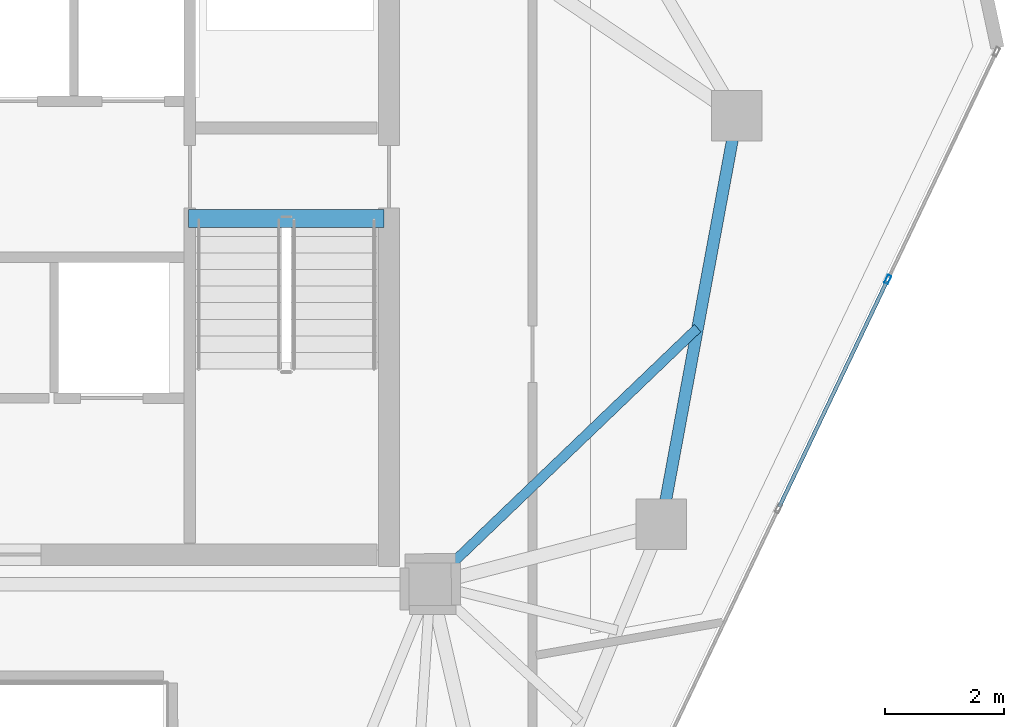
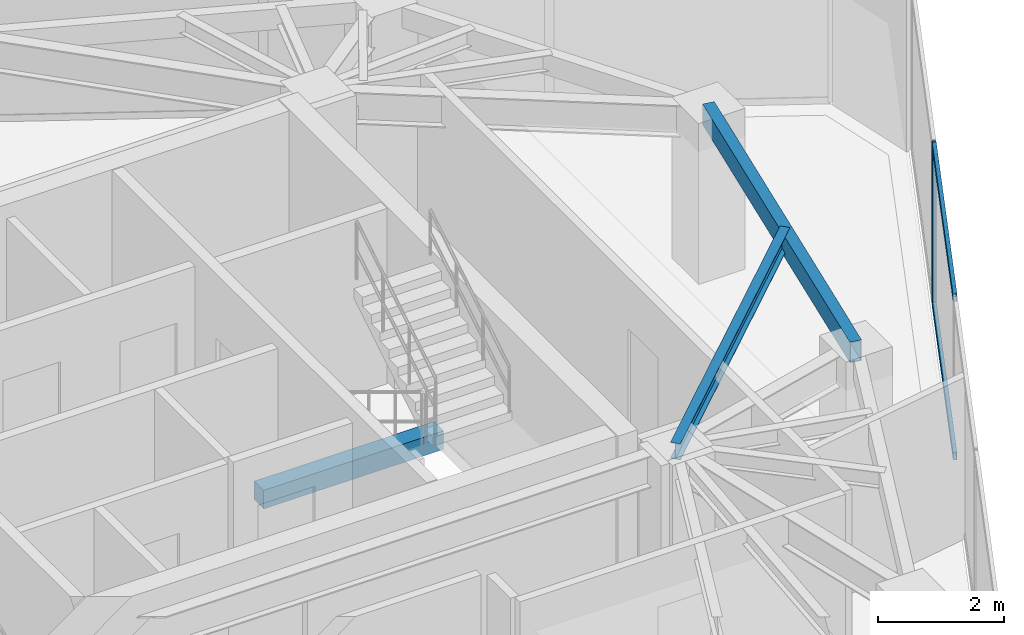
# One storey, part 12 of 20: 3 beams, 3 members, 1 element without a shape of its own.
"""IFC4 building model written with IfcOpenShell, lengths in metres."""

from ifc_helpers import new_model, si_unit, direction, frame, origin, origin_2d, place, context, subcontext, project, spatial, rectangle, hollow_rectangle, i_section, extrude, source, transform, mapped, material, layer, layer_set, material_profile, profile_set, type_object, type_shapes, element, aggregate, save


model = new_model("IFC4")

# Units and contexts
model_context = context("Model", 3, precision=1e-05, world=origin(), true_north=direction((0.0, 1.0)))
body_context = subcontext(model_context, "Body", "Model", "MODEL_VIEW")
ifc_project = project(units=[si_unit("LENGTHUNIT", "METRE"), si_unit("AREAUNIT", "SQUARE_METRE"), si_unit("VOLUMEUNIT", "CUBIC_METRE"), si_unit("PLANEANGLEUNIT", "RADIAN"), si_unit("MASSUNIT", "GRAM", prefix="KILO")], contexts=[model_context])

# Site, building, storey
site_placement = place(None, origin())
site = spatial("IfcSite", under=ifc_project, at=site_placement, CompositionType="ELEMENT")
building_placement = place(site_placement, origin())
building = spatial("IfcBuilding", under=site, at=building_placement, Name="Talar Marvaseh", CompositionType="ELEMENT")
storey_placement = place(building_placement, frame((0.0, 0.0, 281.60009765625)))
storey = spatial("IfcBuildingStorey", under=building, at=storey_placement, Name="L75", CompositionType="ELEMENT", Elevation=281.60009765625)

# Beams
ifc_material_1 = material(Name="Concrete C40/50", Category="concrete")
ifc_material_profile_1 = material_profile(ifc_material_1, rectangle(XDim=0.300048828125, YDim=0.360107421875, at=origin_2d()), Name="RC300x360")
ifc_profile_set_1 = profile_set([ifc_material_profile_1], Name="Concrete C40/50")
beam_type_1 = type_object("IfcBeamType", Name="Concrete Stair Landing Trimmer Beam RC300x360", PredefinedType="SPANDREL", material=ifc_profile_set_1)
beam_1_placement = place(storey_placement, frame((29.219970703125, 31.669921875, -0.18017578125), z_axis=(1.0, 0.0, 0.0), x_axis=(0.0, 1.0, 0.0)))
element("IfcBeam", 1, at=beam_1_placement, inside=storey, type_object=beam_type_1, Name="L75 ST-2 Stair Nosing Trimmer Beam", PredefinedType="SPANDREL", context=body_context, shape_type="SweptSolid", body=[
    extrude(rectangle(XDim=0.300048828125, YDim=0.360107421875, at=origin_2d()), origin(), (0.0, 0.0, 1.0), 3.300048828125),
])
ifc_material_2 = material(Name="Steel S355", Category="steel")
ifc_material_profile_2 = material_profile(ifc_material_2, hollow_rectangle(XDim=0.199951171875, YDim=0.39990234375, WallThickness=0.013916015625, at=origin_2d()), Name="RHS400x200x14")
ifc_profile_set_2 = profile_set([ifc_material_profile_2], Name="Steel S355")
beam_type_2 = type_object("IfcBeamType", Name="Zone 3 Perimeter Spandrel Beam RHS400x200x14", PredefinedType="SPANDREL", material=ifc_profile_set_2)
beam_2_placement = place(storey_placement, frame((38.470947265625, 33.406005859375, 2.93994140625), z_axis=(-0.181759950929, -0.983342931148, 0.0), x_axis=(0.983342931148, -0.181759950929, 0.0)))
element("IfcBeam", 2, at=beam_2_placement, inside=storey, type_object=beam_type_2, Name="L75 Zone 3 Perimeter Spandrel Beam RHS400x200x14", PredefinedType="SPANDREL", context=body_context, shape_type="SweptSolid", body=[
    extrude(hollow_rectangle(XDim=0.199951171875, YDim=0.39990234375, WallThickness=0.013916015625, at=origin_2d()), origin(), (0.0, 0.0, 1.0), 7.0087890625),
])
ifc_material_profile_3 = material_profile(ifc_material_2, i_section(OverallWidth=0.166015625, OverallDepth=0.31298828125, WebThickness=0.006591796875, FlangeThickness=0.01123046875, at=origin_2d()), Name="W310x45")
ifc_profile_set_3 = profile_set([ifc_material_profile_3], Name="Steel S355")
beam_type_3 = type_object("IfcBeamType", Name="Zone 3 Secondary Floor Joist W310x45", PredefinedType="JOIST", material=ifc_profile_set_3)
beam_3_placement = place(storey_placement, frame((37.80859375, 29.822265625, 2.9833984375), z_axis=(-0.721862081493, -0.692036946486, 0.0), x_axis=(0.692036946486, -0.721862081493, 0.0)))
element("IfcBeam", 3, at=beam_3_placement, inside=storey, type_object=beam_type_3, Name="L75 Zone 3 Secondary Floor Joist W310x45", PredefinedType="JOIST", context=body_context, shape_type="SweptSolid", body=[
    extrude(i_section(OverallWidth=0.166015625, OverallDepth=0.31298828125, WebThickness=0.006591796875, FlangeThickness=0.01123046875, at=origin_2d()), origin(), (0.0, 0.0, 1.0), 6.24560546875),
])

# Curtain wall, members
ifc_material_3 = material(Name="Architectural Aluminium", Category="aluminium")
ifc_layer = layer(ifc_material_3, 0.179931640625)
ifc_layer_set = layer_set([ifc_layer], Name="Architectural Aluminium")
curtain_wall_type = type_object("IfcCurtainWallType", Name="Unitised High-Wind Sky Curtain Wall Z4", PredefinedType="NOTDEFINED", material=ifc_layer_set)
curtain_wall_placement = place(storey_placement, origin())
curtain_wall = element("IfcCurtainWall", 4, at=curtain_wall_placement, inside=storey, type_object=curtain_wall_type, Name="L75 Unitised High-Wind Sky Curtain Wall Z4", PredefinedType="NOTDEFINED")
ifc_material_profile_4 = material_profile(ifc_material_3, hollow_rectangle(XDim=0.06494140625, YDim=0.14990234375, WallThickness=0.00390625, at=origin_2d()), Name="RHS150x65x4")
ifc_profile_set_4 = profile_set([ifc_material_profile_4], Name="Architectural Aluminium")
member_type_1 = type_object("IfcMemberType", Name="Unitised Curtain Wall Slim Mullion RHS150x65x4", PredefinedType="MULLION", material=ifc_profile_set_4)
shared_shape_1 = source(origin(), body_context, "Body", "SweptSolid", [
    extrude(hollow_rectangle(XDim=0.06494140625, YDim=0.14990234375, WallThickness=0.00390625, at=origin_2d()), origin(), (0.0, 0.0, 1.0), 3.139892578125),
])
type_shapes(member_type_1, [shared_shape_1])
member_1_placement = place(storey_placement, frame((41.01806640625, 30.644775390625, 0.0), z_axis=(0.0, 0.0, 1.0), x_axis=(0.902516744235, -0.430654764719, 0.0)))
member_1 = element("IfcMember", 5, at=member_1_placement, type_object=member_type_1, Name="CW-Z4 mullion 2", PredefinedType="MULLION", context=body_context, shape_type="MappedRepresentation", body=[
    mapped(shared_shape_1, transform((0.0, 0.0, 0.0), x_axis=(1.0, 0.0, 0.0), y_axis=(0.0, 1.0, 0.0), z_axis=(0.0, 0.0, 1.0), scale=1.0)),
])
ifc_material_profile_5 = material_profile(ifc_material_3, hollow_rectangle(XDim=0.06494140625, YDim=0.14990234375, WallThickness=0.00390625, at=origin_2d()), Name="RHS150x65x4")
ifc_profile_set_5 = profile_set([ifc_material_profile_5], Name="Architectural Aluminium")
member_type_2 = type_object("IfcMemberType", Name="Unitised Curtain Wall Slim Transom RHS150x65x4", PredefinedType="USERDEFINED", material=ifc_profile_set_5)
shared_shape_2 = source(origin(), body_context, "Body", "SweptSolid", [
    extrude(hollow_rectangle(XDim=0.06494140625, YDim=0.14990234375, WallThickness=0.00390625, at=origin_2d()), origin(), (0.0, 0.0, 1.0), 4.22119140625),
])
type_shapes(member_type_2, [shared_shape_2])
member_2_placement = place(storey_placement, frame((41.00390625, 30.615234375, 0.032470703125), z_axis=(-0.430665347178, -0.902511694517, 0.0), x_axis=(0.902511694517, -0.430665347178, 0.0)))
member_2 = element("IfcMember", 6, at=member_2_placement, type_object=member_type_2, Name="CW-Z4 transom 2.1", ObjectType="TRANSOM", PredefinedType="USERDEFINED", context=body_context, shape_type="MappedRepresentation", body=[
    mapped(shared_shape_2, transform((0.0, 0.0, 0.0), x_axis=(1.0, 0.0, 0.0), y_axis=(0.0, 1.0, 0.0), z_axis=(0.0, 0.0, 1.0), scale=1.0)),
])
member_3_placement = place(storey_placement, frame((41.00390625, 30.615234375, 3.107421875), z_axis=(-0.430665347178, -0.902511694517, 0.0), x_axis=(0.902511694517, -0.430665347178, 0.0)))
member_3 = element("IfcMember", 7, at=member_3_placement, type_object=member_type_2, Name="CW-Z4 transom 2.2", ObjectType="TRANSOM", PredefinedType="USERDEFINED", context=body_context, shape_type="MappedRepresentation", body=[
    mapped(shared_shape_2, transform((0.0, 0.0, 0.0), x_axis=(1.0, 0.0, 0.0), y_axis=(0.0, 1.0, 0.0), z_axis=(0.0, 0.0, 1.0), scale=1.0)),
])
aggregate(curtain_wall, [member_1, member_2, member_3])

save(model, "model.ifc")
